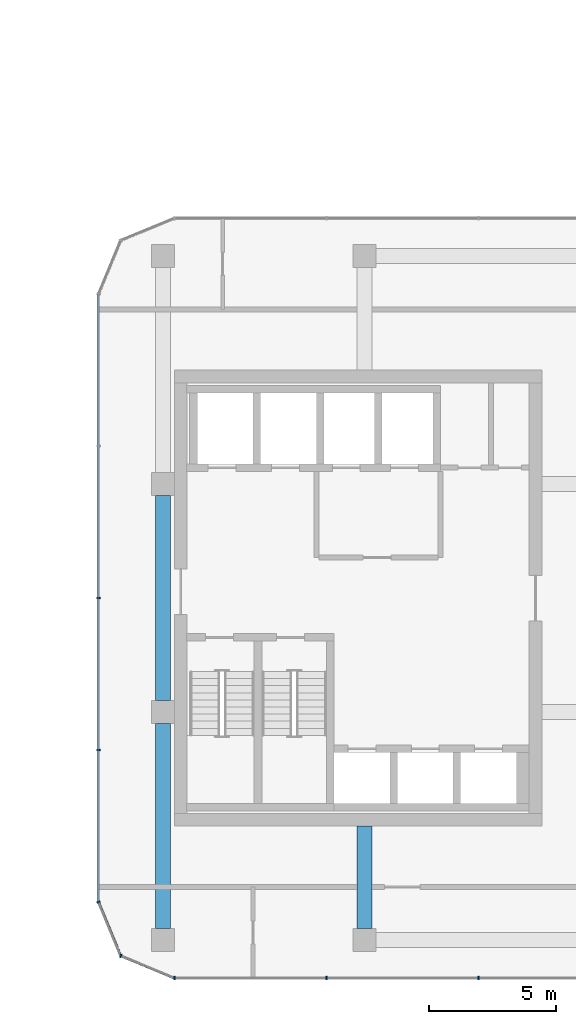
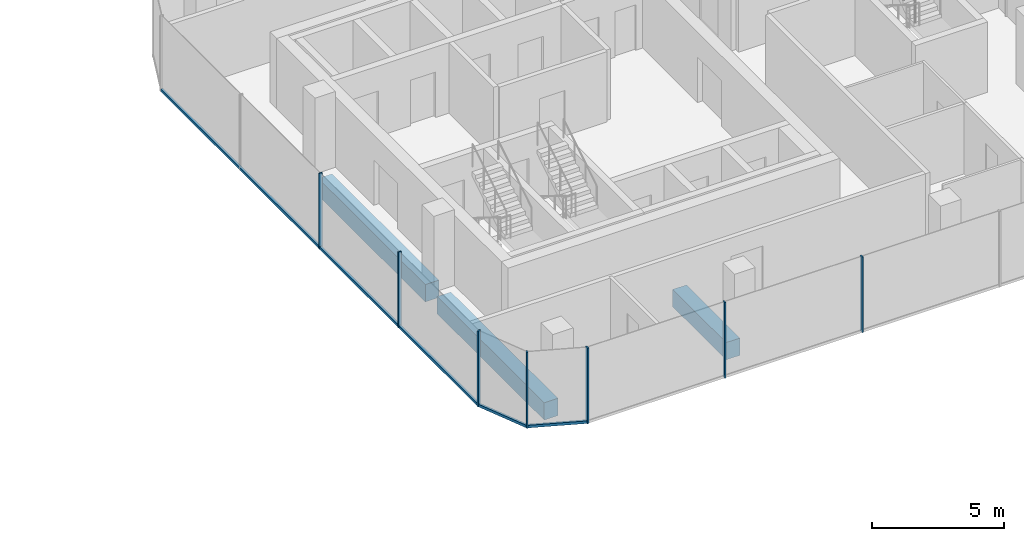
# One storey, part 7 of 22: 10 members, 3 beams, 4 elements without a shape of their own.
"""IFC4 building model written with IfcOpenShell, lengths in metres."""

from ifc_helpers import new_model, si_unit, direction, frame, origin, origin_2d, place, context, subcontext, project, spatial, rectangle, extrude, material, layer, layer_set, material_profile, profile_set, type_object, element, aggregate, save


model = new_model("IFC4")

# Units and contexts
model_context = context("Model", 3, precision=1e-05, world=origin(), true_north=direction((0.0, 1.0)))
body_context = subcontext(model_context, "Body", "Model", "MODEL_VIEW")
ifc_project = project(units=[si_unit("LENGTHUNIT", "METRE"), si_unit("AREAUNIT", "SQUARE_METRE"), si_unit("VOLUMEUNIT", "CUBIC_METRE"), si_unit("PLANEANGLEUNIT", "RADIAN"), si_unit("MASSUNIT", "GRAM", prefix="KILO")], contexts=[model_context])

# Site, building, storey
site_placement = place(None, origin())
site = spatial("IfcSite", under=ifc_project, at=site_placement, CompositionType="ELEMENT")
building_placement = place(site_placement, origin())
building = spatial("IfcBuilding", under=site, at=building_placement, Name="Plateau Cross Towers", CompositionType="ELEMENT")
storey_placement = place(building_placement, frame((0.0, 0.0, 61.800048828125)))
storey = spatial("IfcBuildingStorey", under=building, at=storey_placement, Name="L15", CompositionType="ELEMENT", Elevation=61.800048828125)

# Beam
ifc_material_1 = material(Name="Concrete C60/75", Category="concrete")
ifc_material_profile_1 = material_profile(ifc_material_1, rectangle(XDim=0.60009765625, YDim=0.800048828125, at=origin_2d()), Name="RC 600x800")
ifc_profile_set_1 = profile_set([ifc_material_profile_1], Name="Concrete C60/75")
beam_type_1 = type_object("IfcBeamType", Name="Core beam RC 600x800", PredefinedType="BEAM", material=ifc_profile_set_1)
beam_placement = place(storey_placement, frame((82.5, 0.0, -0.650146484375), z_axis=(0.0, -1.0, 0.0), x_axis=(1.0, 0.0, 0.0)))
element("IfcBeam", 1, at=beam_placement, inside=storey, type_object=beam_type_1, Name="B-CB01@L15", PredefinedType="BEAM", context=body_context, shape_type="SweptSolid", body=[
    extrude(rectangle(XDim=0.60009765625, YDim=0.800048828125, at=origin_2d()), origin(), (0.0, 0.0, 1.0), 4.050048828125),
])

# Curtain wall, members
ifc_material_2 = material(Name="Dark low-iron glass", Category="glass")
ifc_layer = layer(ifc_material_2, 0.239990234375)
ifc_layer_set = layer_set([ifc_layer], Name="Dark low-iron glass")
curtain_wall_type = type_object("IfcCurtainWallType", Name="Curtain wall office unitised CW-F", PredefinedType="NOTDEFINED", material=ifc_layer_set)
curtain_wall_1_placement = place(storey_placement, origin())
curtain_wall_1 = element("IfcCurtainWall", 2, at=curtain_wall_1_placement, inside=storey, type_object=curtain_wall_type, Name="ENV/B/L15/B750_-60", PredefinedType="NOTDEFINED")
ifc_material_3 = material(Name="Black anodised aluminium", Category="aluminium")
ifc_material_profile_2 = material_profile(ifc_material_3, rectangle(XDim=0.06005859375, YDim=0.139892578125, at=origin_2d()), Name="MULLION 60x140")
ifc_profile_set_2 = profile_set([ifc_material_profile_2], Name="Black anodised aluminium")
member_type_1 = type_object("IfcMemberType", Name="Mullion 60x140 office unitised", PredefinedType="MULLION", material=ifc_profile_set_2)
member_1_placement = place(storey_placement, frame((75.0, -6.0, -0.25), z_axis=(0.0, 0.0, 1.0), x_axis=(1.0, 0.0, 0.0)))
member_1 = element("IfcMember", 3, at=member_1_placement, type_object=member_type_1, Name="CW-F mullion 1", PredefinedType="MULLION", context=body_context, shape_type="SweptSolid", body=[
    extrude(rectangle(XDim=0.06005859375, YDim=0.139892578125, at=origin_2d()), origin(), (0.0, 0.0, 1.0), 3.5),
])
member_2_placement = place(storey_placement, frame((81.0, -6.0, -0.25), z_axis=(0.0, 0.0, 1.0), x_axis=(1.0, 0.0, 0.0)))
member_2 = element("IfcMember", 4, at=member_2_placement, type_object=member_type_1, Name="CW-F mullion 2", PredefinedType="MULLION", context=body_context, shape_type="SweptSolid", body=[
    extrude(rectangle(XDim=0.06005859375, YDim=0.139892578125, at=origin_2d()), origin(), (0.0, 0.0, 1.0), 3.5),
])
member_3_placement = place(storey_placement, frame((87.0, -6.0, -0.25), z_axis=(0.0, 0.0, 1.0), x_axis=(1.0, 0.0, 0.0)))
member_3 = element("IfcMember", 5, at=member_3_placement, type_object=member_type_1, Name="CW-F mullion 3", PredefinedType="MULLION", context=body_context, shape_type="SweptSolid", body=[
    extrude(rectangle(XDim=0.06005859375, YDim=0.139892578125, at=origin_2d()), origin(), (0.0, 0.0, 1.0), 3.5),
])
aggregate(curtain_wall_1, [member_1, member_2, member_3])

curtain_wall_2_placement = place(storey_placement, origin())
curtain_wall_2 = element("IfcCurtainWall", 6, at=curtain_wall_2_placement, inside=storey, type_object=curtain_wall_type, Name="ENV/B/L15/B720_210", PredefinedType="NOTDEFINED")
member_4_placement = place(storey_placement, frame((72.0, 9.0, -0.25), z_axis=(0.0, 0.0, 1.0), x_axis=(0.0, -1.0, 0.0)))
member_4 = element("IfcMember", 7, at=member_4_placement, type_object=member_type_1, Name="CW-F mullion 3", PredefinedType="MULLION", context=body_context, shape_type="SweptSolid", body=[
    extrude(rectangle(XDim=0.06005859375, YDim=0.139892578125, at=origin_2d()), origin(), (0.0, 0.0, 1.0), 3.5),
])
member_5_placement = place(storey_placement, frame((72.0, 3.0, -0.25), z_axis=(0.0, 0.0, 1.0), x_axis=(0.0, -1.0, 0.0)))
member_5 = element("IfcMember", 8, at=member_5_placement, type_object=member_type_1, Name="CW-F mullion 4", PredefinedType="MULLION", context=body_context, shape_type="SweptSolid", body=[
    extrude(rectangle(XDim=0.06005859375, YDim=0.139892578125, at=origin_2d()), origin(), (0.0, 0.0, 1.0), 3.5),
])

# Curtain wall, member
curtain_wall_3_placement = place(storey_placement, origin())
curtain_wall_3 = element("IfcCurtainWall", 9, at=curtain_wall_3_placement, inside=storey, type_object=curtain_wall_type, Name="ENV/B/L15/B720_-30", PredefinedType="NOTDEFINED")
member_6_placement = place(storey_placement, frame((72.0, -3.0, -0.25), z_axis=(0.0, 0.0, 1.0), x_axis=(0.382683612978, -0.923879457699, 0.0)))
member_6 = element("IfcMember", 10, at=member_6_placement, type_object=member_type_1, Name="CW-F mullion 1", PredefinedType="MULLION", context=body_context, shape_type="SweptSolid", body=[
    extrude(rectangle(XDim=0.06005859375, YDim=0.139892578125, at=origin_2d()), origin(), (0.0, 0.0, 1.0), 3.5),
])

curtain_wall_4_placement = place(storey_placement, origin())
curtain_wall_4 = element("IfcCurtainWall", 11, at=curtain_wall_4_placement, inside=storey, type_object=curtain_wall_type, Name="ENV/B/L15/B729_-51", PredefinedType="NOTDEFINED")
member_7_placement = place(storey_placement, frame((72.878662109375, -5.121337890625, -0.25), z_axis=(0.0, 0.0, 1.0), x_axis=(0.923879457699, -0.382683612978, 0.0)))
member_7 = element("IfcMember", 12, at=member_7_placement, type_object=member_type_1, Name="CW-F mullion 1", PredefinedType="MULLION", context=body_context, shape_type="SweptSolid", body=[
    extrude(rectangle(XDim=0.06005859375, YDim=0.139892578125, at=origin_2d()), origin(), (0.0, 0.0, 1.0), 3.5),
])

# Beams
ifc_material_profile_3 = material_profile(ifc_material_1, rectangle(XDim=0.60009765625, YDim=0.800048828125, at=origin_2d()), Name="RC 600x800")
ifc_profile_set_3 = profile_set([ifc_material_profile_3], Name="Concrete C60/75")
beam_type_2 = type_object("IfcBeamType", Name="Ring beam RC 600x800", PredefinedType="BEAM", material=ifc_profile_set_3)
for number, where, z_axis, x_axis, name in (
    (13, (74.550048828125, 13.050048828125, -0.650146484375), (0.0, -1.0, 0.0), (1.0, 0.0, 0.0), "B-RB09@L15"),
    (14, (74.550048828125, 4.050048828125, -0.650146484375), (0.0, -1.0, 0.0), (1.0, 0.0, 0.0), "B-RB10@L15"),
):
    element("IfcBeam", number, at=place(storey_placement, frame(where, z_axis=z_axis, x_axis=x_axis)), inside=storey, type_object=beam_type_2, Name=name, PredefinedType="BEAM", context=body_context, shape_type="SweptSolid", body=[
        extrude(rectangle(XDim=0.60009765625, YDim=0.800048828125, at=origin_2d()), origin(), (0.0, 0.0, 1.0), 8.10009765625),
    ])

# Member
ifc_material_profile_4 = material_profile(ifc_material_3, rectangle(XDim=0.10009765625, YDim=0.1201171875, at=origin_2d()), Name="TRANSOM 100x120")
ifc_profile_set_4 = profile_set([ifc_material_profile_4], Name="Black anodised aluminium")
member_type_2 = type_object("IfcMemberType", Name="Transom 100x120 office unitised", PredefinedType="USERDEFINED", material=ifc_profile_set_4)
member_8_placement = place(storey_placement, frame((72.0, 21.0, -0.18994140625), z_axis=(0.0, -1.0, 0.0), x_axis=(1.0, 0.0, 0.0)))
member_8 = element("IfcMember", 15, at=member_8_placement, type_object=member_type_2, Name="CW-F transom", ObjectType="TRANSOM", PredefinedType="USERDEFINED", context=body_context, shape_type="SweptSolid", body=[
    extrude(rectangle(XDim=0.10009765625, YDim=0.1201171875, at=origin_2d()), origin(), (0.0, 0.0, 1.0), 24.0),
])

aggregate(curtain_wall_2, [member_4, member_5, member_8])

member_9_placement = place(storey_placement, frame((72.0, -3.0, -0.18994140625), z_axis=(0.382674207535, -0.923883353507, 0.0), x_axis=(0.923883353507, 0.382674207535, 0.0)))
member_9 = element("IfcMember", 16, at=member_9_placement, type_object=member_type_2, Name="CW-F transom", ObjectType="TRANSOM", PredefinedType="USERDEFINED", context=body_context, shape_type="SweptSolid", body=[
    extrude(rectangle(XDim=0.10009765625, YDim=0.1201171875, at=origin_2d()), origin(), (0.0, 0.0, 1.0), 2.296142578125),
])

aggregate(curtain_wall_3, [member_6, member_9])

member_10_placement = place(storey_placement, frame((72.878662109375, -5.121337890625, -0.18994140625), z_axis=(0.923883353507, -0.382674207535, 0.0), x_axis=(0.382674207535, 0.923883353507, 0.0)))
member_10 = element("IfcMember", 17, at=member_10_placement, type_object=member_type_2, Name="CW-F transom", ObjectType="TRANSOM", PredefinedType="USERDEFINED", context=body_context, shape_type="SweptSolid", body=[
    extrude(rectangle(XDim=0.10009765625, YDim=0.1201171875, at=origin_2d()), origin(), (0.0, 0.0, 1.0), 2.296142578125),
])

aggregate(curtain_wall_4, [member_7, member_10])

save(model, "model.ifc")
